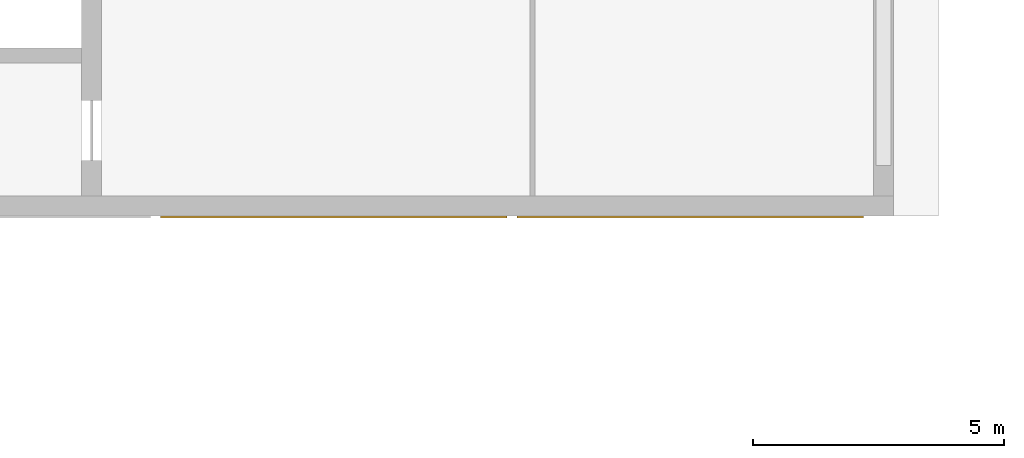
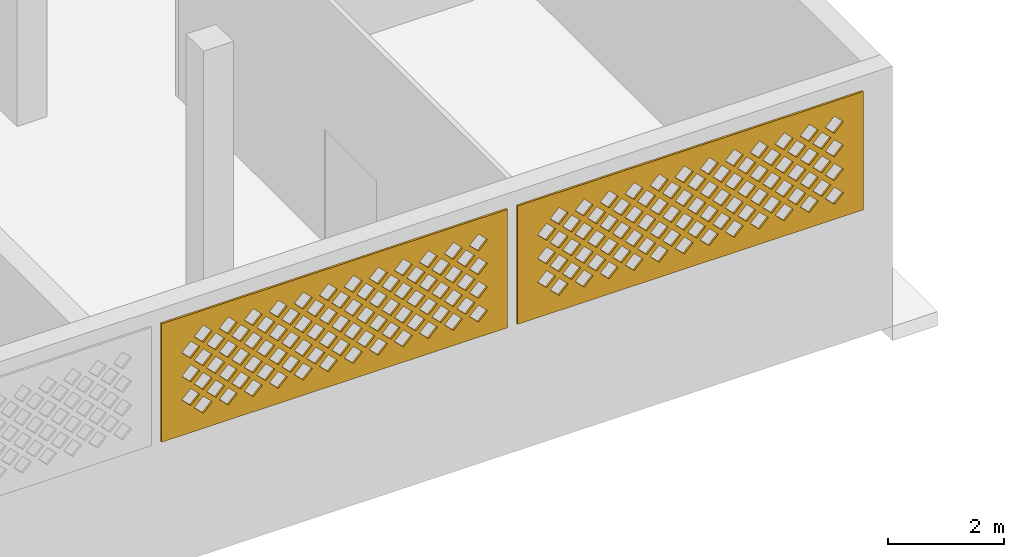
# One storey, part 29 of 69: 2 coverings.
"""IFC4 building model written with IfcOpenShell, lengths in metres."""

from ifc_helpers import new_model, si_unit, direction, frame, origin, place, context, subcontext, project, spatial, polyline, outline, extrude, material, layer, layer_set, type_object, element, save


model = new_model("IFC4")

# Units and contexts
model_context = context("Model", 3, precision=1e-05, world=origin(), true_north=direction((0.0, 1.0)))
body_context = subcontext(model_context, "Body", "Model", "MODEL_VIEW")
ifc_project = project(units=[si_unit("LENGTHUNIT", "METRE"), si_unit("AREAUNIT", "SQUARE_METRE"), si_unit("VOLUMEUNIT", "CUBIC_METRE"), si_unit("PLANEANGLEUNIT", "RADIAN"), si_unit("MASSUNIT", "GRAM", prefix="KILO")], contexts=[model_context])

# Site, building, storey
site_placement = place(None, origin())
site = spatial("IfcSite", under=ifc_project, at=site_placement, CompositionType="ELEMENT")
building_placement = place(site_placement, origin())
building = spatial("IfcBuilding", under=site, at=building_placement, Name="Noorbagh Ring Tower", CompositionType="ELEMENT")
storey_placement = place(building_placement, frame((0.0, 0.0, 19.5)))
storey = spatial("IfcBuildingStorey", under=building, at=storey_placement, Name="L03", CompositionType="ELEMENT", Elevation=19.5)

# Coverings
ifc_material = material(Name="Red sandstone jali", Category="masonry")
ifc_layer = layer(ifc_material, 0.0400390625)
ifc_layer_set = layer_set([ifc_layer], Name="Red sandstone jali")
covering_type = type_object("IfcCoveringType", Name="STH-BAND", PredefinedType="USERDEFINED", material=ifc_layer_set)
covering_1_placement = place(storey_placement, frame((-109.622314453125, -21.0400390625, 2.699951171875), z_axis=(0.0, -1.0, 0.0), x_axis=(1.0, 0.0, 0.0)))
element("IfcCovering", 1, at=covering_1_placement, inside=storey, type_object=covering_type, Name="Jali band", ObjectType="JALI SCREEN", PredefinedType="USERDEFINED", context=body_context, shape_type="SweptSolid", body=[
    extrude(outline(polyline([(0.0, 0.0), (6.9111328125, 0.0), (6.9111328125, 2.5), (0.0, 2.5), (0.0, 0.0)]), holes=[polyline([(0.650634765625, 0.5), (0.83056640625, 0.320068359375), (1.010498046875, 0.5), (0.83056640625, 0.679931640625), (0.650634765625, 0.5)]), polyline([(1.150634765625, 0.5), (1.33056640625, 0.320068359375), (1.510498046875, 0.5), (1.33056640625, 0.679931640625), (1.150634765625, 0.5)]), polyline([(1.650634765625, 0.5), (1.83056640625, 0.320068359375), (2.010498046875, 0.5), (1.83056640625, 0.679931640625), (1.650634765625, 0.5)]), polyline([(2.150634765625, 0.5), (2.33056640625, 0.320068359375), (2.510498046875, 0.5), (2.33056640625, 0.679931640625), (2.150634765625, 0.5)]), polyline([(2.650634765625, 0.5), (2.83056640625, 0.320068359375), (3.010498046875, 0.5), (2.83056640625, 0.679931640625), (2.650634765625, 0.5)]), polyline([(3.150634765625, 0.5), (3.33056640625, 0.320068359375), (3.510498046875, 0.5), (3.33056640625, 0.679931640625), (3.150634765625, 0.5)]), polyline([(3.650634765625, 0.5), (3.83056640625, 0.320068359375), (4.010498046875, 0.5), (3.83056640625, 0.679931640625), (3.650634765625, 0.5)]), polyline([(4.150634765625, 0.5), (4.33056640625, 0.320068359375), (4.510498046875, 0.5), (4.33056640625, 0.679931640625), (4.150634765625, 0.5)]), polyline([(4.650634765625, 0.5), (4.83056640625, 0.320068359375), (5.010498046875, 0.5), (4.83056640625, 0.679931640625), (4.650634765625, 0.5)]), polyline([(5.150634765625, 0.5), (5.33056640625, 0.320068359375), (5.510498046875, 0.5), (5.33056640625, 0.679931640625), (5.150634765625, 0.5)]), polyline([(5.650634765625, 0.5), (5.83056640625, 0.320068359375), (6.010498046875, 0.5), (5.83056640625, 0.679931640625), (5.650634765625, 0.5)]), polyline([(6.150634765625, 0.5), (6.33056640625, 0.320068359375), (6.510498046875, 0.5), (6.33056640625, 0.679931640625), (6.150634765625, 0.5)]), polyline([(0.400634765625, 0.75), (0.58056640625, 0.570068359375), (0.760498046875, 0.75), (0.58056640625, 0.929931640625), (0.400634765625, 0.75)]), polyline([(0.900634765625, 0.75), (1.08056640625, 0.570068359375), (1.260498046875, 0.75), (1.08056640625, 0.929931640625), (0.900634765625, 0.75)]), polyline([(1.400634765625, 0.75), (1.58056640625, 0.570068359375), (1.760498046875, 0.75), (1.58056640625, 0.929931640625), (1.400634765625, 0.75)]), polyline([(1.900634765625, 0.75), (2.08056640625, 0.570068359375), (2.260498046875, 0.75), (2.08056640625, 0.929931640625), (1.900634765625, 0.75)]), polyline([(2.400634765625, 0.75), (2.58056640625, 0.570068359375), (2.760498046875, 0.75), (2.58056640625, 0.929931640625), (2.400634765625, 0.75)]), polyline([(2.900634765625, 0.75), (3.08056640625, 0.570068359375), (3.260498046875, 0.75), (3.08056640625, 0.929931640625), (2.900634765625, 0.75)]), polyline([(3.400634765625, 0.75), (3.58056640625, 0.570068359375), (3.760498046875, 0.75), (3.58056640625, 0.929931640625), (3.400634765625, 0.75)]), polyline([(3.900634765625, 0.75), (4.08056640625, 0.570068359375), (4.260498046875, 0.75), (4.08056640625, 0.929931640625), (3.900634765625, 0.75)]), polyline([(4.400634765625, 0.75), (4.58056640625, 0.570068359375), (4.760498046875, 0.75), (4.58056640625, 0.929931640625), (4.400634765625, 0.75)]), polyline([(4.900634765625, 0.75), (5.08056640625, 0.570068359375), (5.260498046875, 0.75), (5.08056640625, 0.929931640625), (4.900634765625, 0.75)]), polyline([(5.400634765625, 0.75), (5.58056640625, 0.570068359375), (5.760498046875, 0.75), (5.58056640625, 0.929931640625), (5.400634765625, 0.75)]), polyline([(5.900634765625, 0.75), (6.08056640625, 0.570068359375), (6.260498046875, 0.75), (6.08056640625, 0.929931640625), (5.900634765625, 0.75)]), polyline([(0.650634765625, 1.0), (0.83056640625, 0.820068359375), (1.010498046875, 1.0), (0.83056640625, 1.179931640625), (0.650634765625, 1.0)]), polyline([(1.150634765625, 1.0), (1.33056640625, 0.820068359375), (1.510498046875, 1.0), (1.33056640625, 1.179931640625), (1.150634765625, 1.0)]), polyline([(1.650634765625, 1.0), (1.83056640625, 0.820068359375), (2.010498046875, 1.0), (1.83056640625, 1.179931640625), (1.650634765625, 1.0)]), polyline([(2.150634765625, 1.0), (2.33056640625, 0.820068359375), (2.510498046875, 1.0), (2.33056640625, 1.179931640625), (2.150634765625, 1.0)]), polyline([(2.650634765625, 1.0), (2.83056640625, 0.820068359375), (3.010498046875, 1.0), (2.83056640625, 1.179931640625), (2.650634765625, 1.0)]), polyline([(3.150634765625, 1.0), (3.33056640625, 0.820068359375), (3.510498046875, 1.0), (3.33056640625, 1.179931640625), (3.150634765625, 1.0)]), polyline([(3.650634765625, 1.0), (3.83056640625, 0.820068359375), (4.010498046875, 1.0), (3.83056640625, 1.179931640625), (3.650634765625, 1.0)]), polyline([(4.150634765625, 1.0), (4.33056640625, 0.820068359375), (4.510498046875, 1.0), (4.33056640625, 1.179931640625), (4.150634765625, 1.0)]), polyline([(4.650634765625, 1.0), (4.83056640625, 0.820068359375), (5.010498046875, 1.0), (4.83056640625, 1.179931640625), (4.650634765625, 1.0)]), polyline([(5.150634765625, 1.0), (5.33056640625, 0.820068359375), (5.510498046875, 1.0), (5.33056640625, 1.179931640625), (5.150634765625, 1.0)]), polyline([(5.650634765625, 1.0), (5.83056640625, 0.820068359375), (6.010498046875, 1.0), (5.83056640625, 1.179931640625), (5.650634765625, 1.0)]), polyline([(6.150634765625, 1.0), (6.33056640625, 0.820068359375), (6.510498046875, 1.0), (6.33056640625, 1.179931640625), (6.150634765625, 1.0)]), polyline([(0.400634765625, 1.25), (0.58056640625, 1.070068359375), (0.760498046875, 1.25), (0.58056640625, 1.429931640625), (0.400634765625, 1.25)]), polyline([(0.900634765625, 1.25), (1.08056640625, 1.070068359375), (1.260498046875, 1.25), (1.08056640625, 1.429931640625), (0.900634765625, 1.25)]), polyline([(1.400634765625, 1.25), (1.58056640625, 1.070068359375), (1.760498046875, 1.25), (1.58056640625, 1.429931640625), (1.400634765625, 1.25)]), polyline([(1.900634765625, 1.25), (2.08056640625, 1.070068359375), (2.260498046875, 1.25), (2.08056640625, 1.429931640625), (1.900634765625, 1.25)]), polyline([(2.400634765625, 1.25), (2.58056640625, 1.070068359375), (2.760498046875, 1.25), (2.58056640625, 1.429931640625), (2.400634765625, 1.25)]), polyline([(2.900634765625, 1.25), (3.08056640625, 1.070068359375), (3.260498046875, 1.25), (3.08056640625, 1.429931640625), (2.900634765625, 1.25)]), polyline([(3.400634765625, 1.25), (3.58056640625, 1.070068359375), (3.760498046875, 1.25), (3.58056640625, 1.429931640625), (3.400634765625, 1.25)]), polyline([(3.900634765625, 1.25), (4.08056640625, 1.070068359375), (4.260498046875, 1.25), (4.08056640625, 1.429931640625), (3.900634765625, 1.25)]), polyline([(4.400634765625, 1.25), (4.58056640625, 1.070068359375), (4.760498046875, 1.25), (4.58056640625, 1.429931640625), (4.400634765625, 1.25)]), polyline([(4.900634765625, 1.25), (5.08056640625, 1.070068359375), (5.260498046875, 1.25), (5.08056640625, 1.429931640625), (4.900634765625, 1.25)]), polyline([(5.400634765625, 1.25), (5.58056640625, 1.070068359375), (5.760498046875, 1.25), (5.58056640625, 1.429931640625), (5.400634765625, 1.25)]), polyline([(5.900634765625, 1.25), (6.08056640625, 1.070068359375), (6.260498046875, 1.25), (6.08056640625, 1.429931640625), (5.900634765625, 1.25)]), polyline([(0.650634765625, 1.5), (0.83056640625, 1.320068359375), (1.010498046875, 1.5), (0.83056640625, 1.679931640625), (0.650634765625, 1.5)]), polyline([(1.150634765625, 1.5), (1.33056640625, 1.320068359375), (1.510498046875, 1.5), (1.33056640625, 1.679931640625), (1.150634765625, 1.5)]), polyline([(1.650634765625, 1.5), (1.83056640625, 1.320068359375), (2.010498046875, 1.5), (1.83056640625, 1.679931640625), (1.650634765625, 1.5)]), polyline([(2.150634765625, 1.5), (2.33056640625, 1.320068359375), (2.510498046875, 1.5), (2.33056640625, 1.679931640625), (2.150634765625, 1.5)]), polyline([(2.650634765625, 1.5), (2.83056640625, 1.320068359375), (3.010498046875, 1.5), (2.83056640625, 1.679931640625), (2.650634765625, 1.5)]), polyline([(3.150634765625, 1.5), (3.33056640625, 1.320068359375), (3.510498046875, 1.5), (3.33056640625, 1.679931640625), (3.150634765625, 1.5)]), polyline([(3.650634765625, 1.5), (3.83056640625, 1.320068359375), (4.010498046875, 1.5), (3.83056640625, 1.679931640625), (3.650634765625, 1.5)]), polyline([(4.150634765625, 1.5), (4.33056640625, 1.320068359375), (4.510498046875, 1.5), (4.33056640625, 1.679931640625), (4.150634765625, 1.5)]), polyline([(4.650634765625, 1.5), (4.83056640625, 1.320068359375), (5.010498046875, 1.5), (4.83056640625, 1.679931640625), (4.650634765625, 1.5)]), polyline([(5.150634765625, 1.5), (5.33056640625, 1.320068359375), (5.510498046875, 1.5), (5.33056640625, 1.679931640625), (5.150634765625, 1.5)]), polyline([(5.650634765625, 1.5), (5.83056640625, 1.320068359375), (6.010498046875, 1.5), (5.83056640625, 1.679931640625), (5.650634765625, 1.5)]), polyline([(6.150634765625, 1.5), (6.33056640625, 1.320068359375), (6.510498046875, 1.5), (6.33056640625, 1.679931640625), (6.150634765625, 1.5)]), polyline([(0.400634765625, 1.75), (0.58056640625, 1.570068359375), (0.760498046875, 1.75), (0.58056640625, 1.929931640625), (0.400634765625, 1.75)]), polyline([(0.900634765625, 1.75), (1.08056640625, 1.570068359375), (1.260498046875, 1.75), (1.08056640625, 1.929931640625), (0.900634765625, 1.75)]), polyline([(1.400634765625, 1.75), (1.58056640625, 1.570068359375), (1.760498046875, 1.75), (1.58056640625, 1.929931640625), (1.400634765625, 1.75)]), polyline([(1.900634765625, 1.75), (2.08056640625, 1.570068359375), (2.260498046875, 1.75), (2.08056640625, 1.929931640625), (1.900634765625, 1.75)]), polyline([(2.400634765625, 1.75), (2.58056640625, 1.570068359375), (2.760498046875, 1.75), (2.58056640625, 1.929931640625), (2.400634765625, 1.75)]), polyline([(2.900634765625, 1.75), (3.08056640625, 1.570068359375), (3.260498046875, 1.75), (3.08056640625, 1.929931640625), (2.900634765625, 1.75)]), polyline([(3.400634765625, 1.75), (3.58056640625, 1.570068359375), (3.760498046875, 1.75), (3.58056640625, 1.929931640625), (3.400634765625, 1.75)]), polyline([(3.900634765625, 1.75), (4.08056640625, 1.570068359375), (4.260498046875, 1.75), (4.08056640625, 1.929931640625), (3.900634765625, 1.75)]), polyline([(4.400634765625, 1.75), (4.58056640625, 1.570068359375), (4.760498046875, 1.75), (4.58056640625, 1.929931640625), (4.400634765625, 1.75)]), polyline([(4.900634765625, 1.75), (5.08056640625, 1.570068359375), (5.260498046875, 1.75), (5.08056640625, 1.929931640625), (4.900634765625, 1.75)]), polyline([(5.400634765625, 1.75), (5.58056640625, 1.570068359375), (5.760498046875, 1.75), (5.58056640625, 1.929931640625), (5.400634765625, 1.75)]), polyline([(5.900634765625, 1.75), (6.08056640625, 1.570068359375), (6.260498046875, 1.75), (6.08056640625, 1.929931640625), (5.900634765625, 1.75)]), polyline([(0.650634765625, 2.0), (0.83056640625, 1.820068359375), (1.010498046875, 2.0), (0.83056640625, 2.179931640625), (0.650634765625, 2.0)]), polyline([(1.150634765625, 2.0), (1.33056640625, 1.820068359375), (1.510498046875, 2.0), (1.33056640625, 2.179931640625), (1.150634765625, 2.0)]), polyline([(1.650634765625, 2.0), (1.83056640625, 1.820068359375), (2.010498046875, 2.0), (1.83056640625, 2.179931640625), (1.650634765625, 2.0)]), polyline([(2.150634765625, 2.0), (2.33056640625, 1.820068359375), (2.510498046875, 2.0), (2.33056640625, 2.179931640625), (2.150634765625, 2.0)]), polyline([(2.650634765625, 2.0), (2.83056640625, 1.820068359375), (3.010498046875, 2.0), (2.83056640625, 2.179931640625), (2.650634765625, 2.0)]), polyline([(3.150634765625, 2.0), (3.33056640625, 1.820068359375), (3.510498046875, 2.0), (3.33056640625, 2.179931640625), (3.150634765625, 2.0)]), polyline([(3.650634765625, 2.0), (3.83056640625, 1.820068359375), (4.010498046875, 2.0), (3.83056640625, 2.179931640625), (3.650634765625, 2.0)]), polyline([(4.150634765625, 2.0), (4.33056640625, 1.820068359375), (4.510498046875, 2.0), (4.33056640625, 2.179931640625), (4.150634765625, 2.0)]), polyline([(4.650634765625, 2.0), (4.83056640625, 1.820068359375), (5.010498046875, 2.0), (4.83056640625, 2.179931640625), (4.650634765625, 2.0)]), polyline([(5.150634765625, 2.0), (5.33056640625, 1.820068359375), (5.510498046875, 2.0), (5.33056640625, 2.179931640625), (5.150634765625, 2.0)]), polyline([(5.650634765625, 2.0), (5.83056640625, 1.820068359375), (6.010498046875, 2.0), (5.83056640625, 2.179931640625), (5.650634765625, 2.0)]), polyline([(6.150634765625, 2.0), (6.33056640625, 1.820068359375), (6.510498046875, 2.0), (6.33056640625, 2.179931640625), (6.150634765625, 2.0)])]), origin(), (0.0, 0.0, -1.0), 0.0400390625),
])
covering_2_placement = place(storey_placement, frame((-102.510986328125, -21.0400390625, 2.699951171875), z_axis=(0.0, -1.0, 0.0), x_axis=(1.0, 0.0, 0.0)))
element("IfcCovering", 2, at=covering_2_placement, inside=storey, type_object=covering_type, Name="Jali band", ObjectType="JALI SCREEN", PredefinedType="USERDEFINED", context=body_context, shape_type="SweptSolid", body=[
    extrude(outline(polyline([(0.0, 0.0), (6.910888671875, 0.0), (6.910888671875, 2.5), (0.0, 2.5), (0.0, 0.0)]), holes=[polyline([(0.650634765625, 0.5), (0.83056640625, 0.320068359375), (1.010498046875, 0.5), (0.83056640625, 0.679931640625), (0.650634765625, 0.5)]), polyline([(1.150634765625, 0.5), (1.33056640625, 0.320068359375), (1.510498046875, 0.5), (1.33056640625, 0.679931640625), (1.150634765625, 0.5)]), polyline([(1.650634765625, 0.5), (1.83056640625, 0.320068359375), (2.010498046875, 0.5), (1.83056640625, 0.679931640625), (1.650634765625, 0.5)]), polyline([(2.150634765625, 0.5), (2.33056640625, 0.320068359375), (2.510498046875, 0.5), (2.33056640625, 0.679931640625), (2.150634765625, 0.5)]), polyline([(2.650634765625, 0.5), (2.83056640625, 0.320068359375), (3.010498046875, 0.5), (2.83056640625, 0.679931640625), (2.650634765625, 0.5)]), polyline([(3.150634765625, 0.5), (3.33056640625, 0.320068359375), (3.510498046875, 0.5), (3.33056640625, 0.679931640625), (3.150634765625, 0.5)]), polyline([(3.650634765625, 0.5), (3.83056640625, 0.320068359375), (4.010498046875, 0.5), (3.83056640625, 0.679931640625), (3.650634765625, 0.5)]), polyline([(4.150634765625, 0.5), (4.33056640625, 0.320068359375), (4.510498046875, 0.5), (4.33056640625, 0.679931640625), (4.150634765625, 0.5)]), polyline([(4.650634765625, 0.5), (4.83056640625, 0.320068359375), (5.010498046875, 0.5), (4.83056640625, 0.679931640625), (4.650634765625, 0.5)]), polyline([(5.150634765625, 0.5), (5.33056640625, 0.320068359375), (5.510498046875, 0.5), (5.33056640625, 0.679931640625), (5.150634765625, 0.5)]), polyline([(5.650634765625, 0.5), (5.83056640625, 0.320068359375), (6.010498046875, 0.5), (5.83056640625, 0.679931640625), (5.650634765625, 0.5)]), polyline([(6.150634765625, 0.5), (6.33056640625, 0.320068359375), (6.510498046875, 0.5), (6.33056640625, 0.679931640625), (6.150634765625, 0.5)]), polyline([(0.400634765625, 0.75), (0.58056640625, 0.570068359375), (0.760498046875, 0.75), (0.58056640625, 0.929931640625), (0.400634765625, 0.75)]), polyline([(0.900634765625, 0.75), (1.08056640625, 0.570068359375), (1.260498046875, 0.75), (1.08056640625, 0.929931640625), (0.900634765625, 0.75)]), polyline([(1.400634765625, 0.75), (1.58056640625, 0.570068359375), (1.760498046875, 0.75), (1.58056640625, 0.929931640625), (1.400634765625, 0.75)]), polyline([(1.900634765625, 0.75), (2.08056640625, 0.570068359375), (2.260498046875, 0.75), (2.08056640625, 0.929931640625), (1.900634765625, 0.75)]), polyline([(2.400634765625, 0.75), (2.58056640625, 0.570068359375), (2.760498046875, 0.75), (2.58056640625, 0.929931640625), (2.400634765625, 0.75)]), polyline([(2.900634765625, 0.75), (3.08056640625, 0.570068359375), (3.260498046875, 0.75), (3.08056640625, 0.929931640625), (2.900634765625, 0.75)]), polyline([(3.400634765625, 0.75), (3.58056640625, 0.570068359375), (3.760498046875, 0.75), (3.58056640625, 0.929931640625), (3.400634765625, 0.75)]), polyline([(3.900634765625, 0.75), (4.08056640625, 0.570068359375), (4.260498046875, 0.75), (4.08056640625, 0.929931640625), (3.900634765625, 0.75)]), polyline([(4.400634765625, 0.75), (4.58056640625, 0.570068359375), (4.760498046875, 0.75), (4.58056640625, 0.929931640625), (4.400634765625, 0.75)]), polyline([(4.900634765625, 0.75), (5.08056640625, 0.570068359375), (5.260498046875, 0.75), (5.08056640625, 0.929931640625), (4.900634765625, 0.75)]), polyline([(5.400634765625, 0.75), (5.58056640625, 0.570068359375), (5.760498046875, 0.75), (5.58056640625, 0.929931640625), (5.400634765625, 0.75)]), polyline([(5.900634765625, 0.75), (6.08056640625, 0.570068359375), (6.260498046875, 0.75), (6.08056640625, 0.929931640625), (5.900634765625, 0.75)]), polyline([(0.650634765625, 1.0), (0.83056640625, 0.820068359375), (1.010498046875, 1.0), (0.83056640625, 1.179931640625), (0.650634765625, 1.0)]), polyline([(1.150634765625, 1.0), (1.33056640625, 0.820068359375), (1.510498046875, 1.0), (1.33056640625, 1.179931640625), (1.150634765625, 1.0)]), polyline([(1.650634765625, 1.0), (1.83056640625, 0.820068359375), (2.010498046875, 1.0), (1.83056640625, 1.179931640625), (1.650634765625, 1.0)]), polyline([(2.150634765625, 1.0), (2.33056640625, 0.820068359375), (2.510498046875, 1.0), (2.33056640625, 1.179931640625), (2.150634765625, 1.0)]), polyline([(2.650634765625, 1.0), (2.83056640625, 0.820068359375), (3.010498046875, 1.0), (2.83056640625, 1.179931640625), (2.650634765625, 1.0)]), polyline([(3.150634765625, 1.0), (3.33056640625, 0.820068359375), (3.510498046875, 1.0), (3.33056640625, 1.179931640625), (3.150634765625, 1.0)]), polyline([(3.650634765625, 1.0), (3.83056640625, 0.820068359375), (4.010498046875, 1.0), (3.83056640625, 1.179931640625), (3.650634765625, 1.0)]), polyline([(4.150634765625, 1.0), (4.33056640625, 0.820068359375), (4.510498046875, 1.0), (4.33056640625, 1.179931640625), (4.150634765625, 1.0)]), polyline([(4.650634765625, 1.0), (4.83056640625, 0.820068359375), (5.010498046875, 1.0), (4.83056640625, 1.179931640625), (4.650634765625, 1.0)]), polyline([(5.150634765625, 1.0), (5.33056640625, 0.820068359375), (5.510498046875, 1.0), (5.33056640625, 1.179931640625), (5.150634765625, 1.0)]), polyline([(5.650634765625, 1.0), (5.83056640625, 0.820068359375), (6.010498046875, 1.0), (5.83056640625, 1.179931640625), (5.650634765625, 1.0)]), polyline([(6.150634765625, 1.0), (6.33056640625, 0.820068359375), (6.510498046875, 1.0), (6.33056640625, 1.179931640625), (6.150634765625, 1.0)]), polyline([(0.400634765625, 1.25), (0.58056640625, 1.070068359375), (0.760498046875, 1.25), (0.58056640625, 1.429931640625), (0.400634765625, 1.25)]), polyline([(0.900634765625, 1.25), (1.08056640625, 1.070068359375), (1.260498046875, 1.25), (1.08056640625, 1.429931640625), (0.900634765625, 1.25)]), polyline([(1.400634765625, 1.25), (1.58056640625, 1.070068359375), (1.760498046875, 1.25), (1.58056640625, 1.429931640625), (1.400634765625, 1.25)]), polyline([(1.900634765625, 1.25), (2.08056640625, 1.070068359375), (2.260498046875, 1.25), (2.08056640625, 1.429931640625), (1.900634765625, 1.25)]), polyline([(2.400634765625, 1.25), (2.58056640625, 1.070068359375), (2.760498046875, 1.25), (2.58056640625, 1.429931640625), (2.400634765625, 1.25)]), polyline([(2.900634765625, 1.25), (3.08056640625, 1.070068359375), (3.260498046875, 1.25), (3.08056640625, 1.429931640625), (2.900634765625, 1.25)]), polyline([(3.400634765625, 1.25), (3.58056640625, 1.070068359375), (3.760498046875, 1.25), (3.58056640625, 1.429931640625), (3.400634765625, 1.25)]), polyline([(3.900634765625, 1.25), (4.08056640625, 1.070068359375), (4.260498046875, 1.25), (4.08056640625, 1.429931640625), (3.900634765625, 1.25)]), polyline([(4.400634765625, 1.25), (4.58056640625, 1.070068359375), (4.760498046875, 1.25), (4.58056640625, 1.429931640625), (4.400634765625, 1.25)]), polyline([(4.900634765625, 1.25), (5.08056640625, 1.070068359375), (5.260498046875, 1.25), (5.08056640625, 1.429931640625), (4.900634765625, 1.25)]), polyline([(5.400634765625, 1.25), (5.58056640625, 1.070068359375), (5.760498046875, 1.25), (5.58056640625, 1.429931640625), (5.400634765625, 1.25)]), polyline([(5.900634765625, 1.25), (6.08056640625, 1.070068359375), (6.260498046875, 1.25), (6.08056640625, 1.429931640625), (5.900634765625, 1.25)]), polyline([(0.650634765625, 1.5), (0.83056640625, 1.320068359375), (1.010498046875, 1.5), (0.83056640625, 1.679931640625), (0.650634765625, 1.5)]), polyline([(1.150634765625, 1.5), (1.33056640625, 1.320068359375), (1.510498046875, 1.5), (1.33056640625, 1.679931640625), (1.150634765625, 1.5)]), polyline([(1.650634765625, 1.5), (1.83056640625, 1.320068359375), (2.010498046875, 1.5), (1.83056640625, 1.679931640625), (1.650634765625, 1.5)]), polyline([(2.150634765625, 1.5), (2.33056640625, 1.320068359375), (2.510498046875, 1.5), (2.33056640625, 1.679931640625), (2.150634765625, 1.5)]), polyline([(2.650634765625, 1.5), (2.83056640625, 1.320068359375), (3.010498046875, 1.5), (2.83056640625, 1.679931640625), (2.650634765625, 1.5)]), polyline([(3.150634765625, 1.5), (3.33056640625, 1.320068359375), (3.510498046875, 1.5), (3.33056640625, 1.679931640625), (3.150634765625, 1.5)]), polyline([(3.650634765625, 1.5), (3.83056640625, 1.320068359375), (4.010498046875, 1.5), (3.83056640625, 1.679931640625), (3.650634765625, 1.5)]), polyline([(4.150634765625, 1.5), (4.33056640625, 1.320068359375), (4.510498046875, 1.5), (4.33056640625, 1.679931640625), (4.150634765625, 1.5)]), polyline([(4.650634765625, 1.5), (4.83056640625, 1.320068359375), (5.010498046875, 1.5), (4.83056640625, 1.679931640625), (4.650634765625, 1.5)]), polyline([(5.150634765625, 1.5), (5.33056640625, 1.320068359375), (5.510498046875, 1.5), (5.33056640625, 1.679931640625), (5.150634765625, 1.5)]), polyline([(5.650634765625, 1.5), (5.83056640625, 1.320068359375), (6.010498046875, 1.5), (5.83056640625, 1.679931640625), (5.650634765625, 1.5)]), polyline([(6.150634765625, 1.5), (6.33056640625, 1.320068359375), (6.510498046875, 1.5), (6.33056640625, 1.679931640625), (6.150634765625, 1.5)]), polyline([(0.400634765625, 1.75), (0.58056640625, 1.570068359375), (0.760498046875, 1.75), (0.58056640625, 1.929931640625), (0.400634765625, 1.75)]), polyline([(0.900634765625, 1.75), (1.08056640625, 1.570068359375), (1.260498046875, 1.75), (1.08056640625, 1.929931640625), (0.900634765625, 1.75)]), polyline([(1.400634765625, 1.75), (1.58056640625, 1.570068359375), (1.760498046875, 1.75), (1.58056640625, 1.929931640625), (1.400634765625, 1.75)]), polyline([(1.900634765625, 1.75), (2.08056640625, 1.570068359375), (2.260498046875, 1.75), (2.08056640625, 1.929931640625), (1.900634765625, 1.75)]), polyline([(2.400634765625, 1.75), (2.58056640625, 1.570068359375), (2.760498046875, 1.75), (2.58056640625, 1.929931640625), (2.400634765625, 1.75)]), polyline([(2.900634765625, 1.75), (3.08056640625, 1.570068359375), (3.260498046875, 1.75), (3.08056640625, 1.929931640625), (2.900634765625, 1.75)]), polyline([(3.400634765625, 1.75), (3.58056640625, 1.570068359375), (3.760498046875, 1.75), (3.58056640625, 1.929931640625), (3.400634765625, 1.75)]), polyline([(3.900634765625, 1.75), (4.08056640625, 1.570068359375), (4.260498046875, 1.75), (4.08056640625, 1.929931640625), (3.900634765625, 1.75)]), polyline([(4.400634765625, 1.75), (4.58056640625, 1.570068359375), (4.760498046875, 1.75), (4.58056640625, 1.929931640625), (4.400634765625, 1.75)]), polyline([(4.900634765625, 1.75), (5.08056640625, 1.570068359375), (5.260498046875, 1.75), (5.08056640625, 1.929931640625), (4.900634765625, 1.75)]), polyline([(5.400634765625, 1.75), (5.58056640625, 1.570068359375), (5.760498046875, 1.75), (5.58056640625, 1.929931640625), (5.400634765625, 1.75)]), polyline([(5.900634765625, 1.75), (6.08056640625, 1.570068359375), (6.260498046875, 1.75), (6.08056640625, 1.929931640625), (5.900634765625, 1.75)]), polyline([(0.650634765625, 2.0), (0.83056640625, 1.820068359375), (1.010498046875, 2.0), (0.83056640625, 2.179931640625), (0.650634765625, 2.0)]), polyline([(1.150634765625, 2.0), (1.33056640625, 1.820068359375), (1.510498046875, 2.0), (1.33056640625, 2.179931640625), (1.150634765625, 2.0)]), polyline([(1.650634765625, 2.0), (1.83056640625, 1.820068359375), (2.010498046875, 2.0), (1.83056640625, 2.179931640625), (1.650634765625, 2.0)]), polyline([(2.150634765625, 2.0), (2.33056640625, 1.820068359375), (2.510498046875, 2.0), (2.33056640625, 2.179931640625), (2.150634765625, 2.0)]), polyline([(2.650634765625, 2.0), (2.83056640625, 1.820068359375), (3.010498046875, 2.0), (2.83056640625, 2.179931640625), (2.650634765625, 2.0)]), polyline([(3.150634765625, 2.0), (3.33056640625, 1.820068359375), (3.510498046875, 2.0), (3.33056640625, 2.179931640625), (3.150634765625, 2.0)]), polyline([(3.650634765625, 2.0), (3.83056640625, 1.820068359375), (4.010498046875, 2.0), (3.83056640625, 2.179931640625), (3.650634765625, 2.0)]), polyline([(4.150634765625, 2.0), (4.33056640625, 1.820068359375), (4.510498046875, 2.0), (4.33056640625, 2.179931640625), (4.150634765625, 2.0)]), polyline([(4.650634765625, 2.0), (4.83056640625, 1.820068359375), (5.010498046875, 2.0), (4.83056640625, 2.179931640625), (4.650634765625, 2.0)]), polyline([(5.150634765625, 2.0), (5.33056640625, 1.820068359375), (5.510498046875, 2.0), (5.33056640625, 2.179931640625), (5.150634765625, 2.0)]), polyline([(5.650634765625, 2.0), (5.83056640625, 1.820068359375), (6.010498046875, 2.0), (5.83056640625, 2.179931640625), (5.650634765625, 2.0)]), polyline([(6.150634765625, 2.0), (6.33056640625, 1.820068359375), (6.510498046875, 2.0), (6.33056640625, 2.179931640625), (6.150634765625, 2.0)])]), origin(), (0.0, 0.0, -1.0), 0.0400390625),
])

save(model, "model.ifc")
